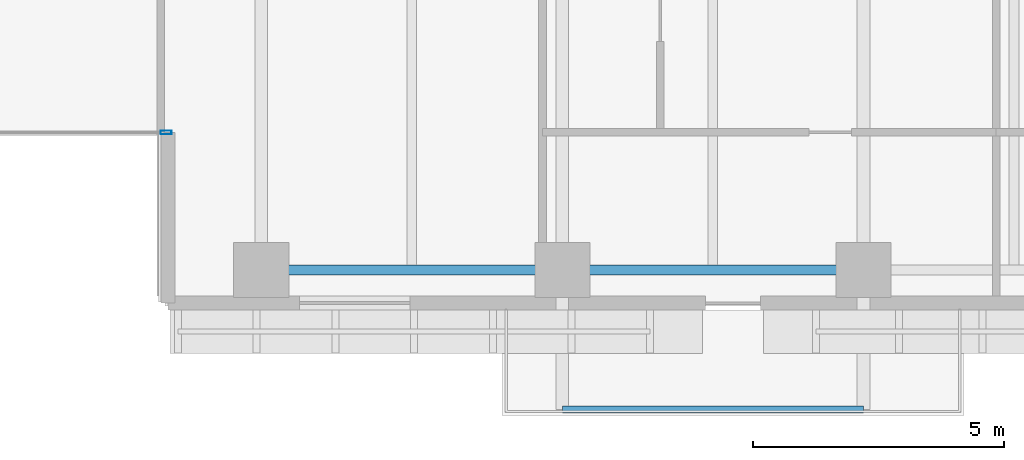
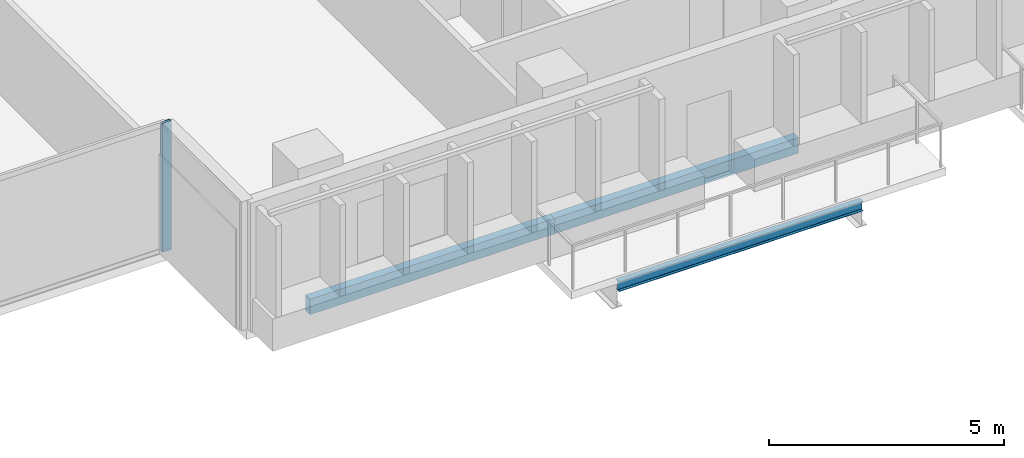
# One storey, part 4 of 25: 3 beams, 1 member, 1 element without a shape of its own.
"""IFC4 building model written with IfcOpenShell, lengths in metres."""

from ifc_helpers import new_model, si_unit, direction, frame, origin, origin_2d, place, context, subcontext, project, spatial, hollow_rectangle, i_section, extrude, material, layer, layer_set, material_profile, profile_set, type_object, element, aggregate, save


model = new_model("IFC4")

# Units and contexts
model_context = context("Model", 3, precision=1e-05, world=origin(), true_north=direction((0.0, 1.0)))
body_context = subcontext(model_context, "Body", "Model", "MODEL_VIEW")
ifc_project = project(units=[si_unit("LENGTHUNIT", "METRE"), si_unit("AREAUNIT", "SQUARE_METRE"), si_unit("VOLUMEUNIT", "CUBIC_METRE"), si_unit("PLANEANGLEUNIT", "RADIAN"), si_unit("MASSUNIT", "GRAM", prefix="KILO")], contexts=[model_context])

# Site, building, storey
site_placement = place(None, origin())
site = spatial("IfcSite", under=ifc_project, at=site_placement, CompositionType="ELEMENT")
building_placement = place(site_placement, origin())
building = spatial("IfcBuilding", under=site, at=building_placement, Name="Tanjung Sevakor Pilgrim Tower", CompositionType="ELEMENT")
storey_placement = place(building_placement, frame((0.0, 0.0, 69.6298828125)))
storey = spatial("IfcBuildingStorey", under=building, at=storey_placement, Name="L19", CompositionType="ELEMENT", Elevation=69.6298828125)

# Beams
ifc_material_1 = material(Name="Steel S355J2", Category="steel")
ifc_material_profile_1 = material_profile(ifc_material_1, i_section(OverallWidth=0.146484375, OverallDepth=0.256103515625, WebThickness=0.00634765625, FlangeThickness=0.010986328125, FilletRadius=0.007568359375, at=origin_2d()))
ifc_profile_set_1 = profile_set([ifc_material_profile_1], Name="Steel S355J2")
beam_type_1 = type_object("IfcBeamType", Name="BM-B-J6-UB_254x146x37", PredefinedType="JOIST", material=ifc_profile_set_1)
beam_placement = place(storey_placement, frame((60.0, 5.6201171875, -0.327880859375), z_axis=(1.0, 0.0, 0.0), x_axis=(0.0, 1.0, 0.0)))
element("IfcBeam", 1, at=beam_placement, inside=storey, type_object=beam_type_1, Name="L19 Balcony Rim Tie MAIN-S2", PredefinedType="JOIST", context=body_context, shape_type="SweptSolid", body=[
    extrude(i_section(OverallWidth=0.146484375, OverallDepth=0.256103515625, WebThickness=0.00634765625, FlangeThickness=0.010986328125, FilletRadius=0.007568359375, at=origin_2d()), origin(), (0.0, 0.0, 1.0), 6.0),
])
ifc_material_2 = material(Name="Steel S355J2", Category="steel")
ifc_material_profile_2 = material_profile(ifc_material_2, hollow_rectangle(XDim=0.199951171875, YDim=0.39990234375, WallThickness=0.01611328125, at=origin_2d()))
ifc_profile_set_2 = profile_set([ifc_material_profile_2], Name="Steel S355J2")
beam_type_2 = type_object("IfcBeamType", Name="BM-B-SP2-RHS_400x200x16", PredefinedType="SPANDREL", material=ifc_profile_set_2)
for number, where, z_axis, x_axis, name in (
    (2, (54.0, 8.39990234375, -0.419921875), (1.0, 0.0, 0.0), (0.0, 1.0, 0.0), "L19 Spandrel MAIN S-07"),
    (3, (60.0, 8.39990234375, -0.419921875), (1.0, 0.0, 0.0), (0.0, 1.0, 0.0), "L19 Spandrel MAIN S-09"),
):
    element("IfcBeam", number, at=place(storey_placement, frame(where, z_axis=z_axis, x_axis=x_axis)), inside=storey, type_object=beam_type_2, Name=name, PredefinedType="SPANDREL", context=body_context, shape_type="SweptSolid", body=[
        extrude(hollow_rectangle(XDim=0.199951171875, YDim=0.39990234375, WallThickness=0.01611328125, at=origin_2d()), origin(), (0.0, 0.0, 1.0), 6.0),
    ])

# Curtain wall, member
ifc_material_3 = material(Name="Aluminium 6063-T6 and Low-E Glass", Category="aluminium")
ifc_layer = layer(ifc_material_3, 0.179931640625)
ifc_layer_set = layer_set([ifc_layer], Name="CW-SYS-CLEFT")
curtain_wall_type = type_object("IfcCurtainWallType", Name="CW-SYS-CLEFT", PredefinedType="NOTDEFINED", material=ifc_layer_set)
curtain_wall_placement = place(storey_placement, origin())
curtain_wall = element("IfcCurtainWall", 4, at=curtain_wall_placement, inside=storey, type_object=curtain_wall_type, Name="L19 Curtain Wall CW-CLF-L19-2", PredefinedType="NOTDEFINED")
ifc_material_4 = material(Name="Aluminium 6063-T6", Category="aluminium")
ifc_material_profile_3 = material_profile(ifc_material_4, hollow_rectangle(XDim=0.074951171875, YDim=0.219970703125, WallThickness=0.0048828125, at=origin_2d()))
ifc_profile_set_3 = profile_set([ifc_material_profile_3], Name="Aluminium 6063-T6")
member_type = type_object("IfcMemberType", Name="TYPE-CWM-2", PredefinedType="MULLION", material=ifc_profile_set_3)
member_placement = place(storey_placement, frame((52.1025390625, 11.139892578125, 0.0), z_axis=(0.0, 0.0, 1.0), x_axis=(0.0, 1.0, 0.0)))
member = element("IfcMember", 5, at=member_placement, type_object=member_type, Name="CW-CLF mullion 2", PredefinedType="MULLION", context=body_context, shape_type="SweptSolid", body=[
    extrude(hollow_rectangle(XDim=0.074951171875, YDim=0.219970703125, WallThickness=0.0048828125, at=origin_2d()), origin(), (0.0, 0.0, 1.0), 3.35009765625),
])
aggregate(curtain_wall, [member])

save(model, "model.ifc")
